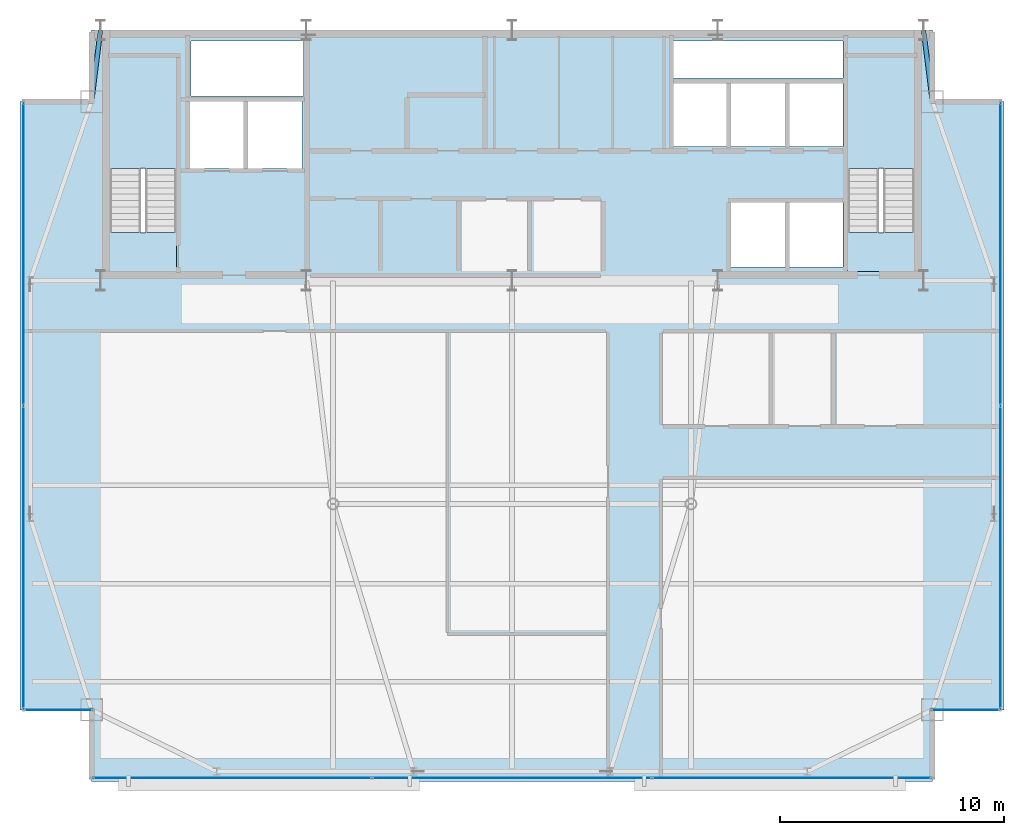
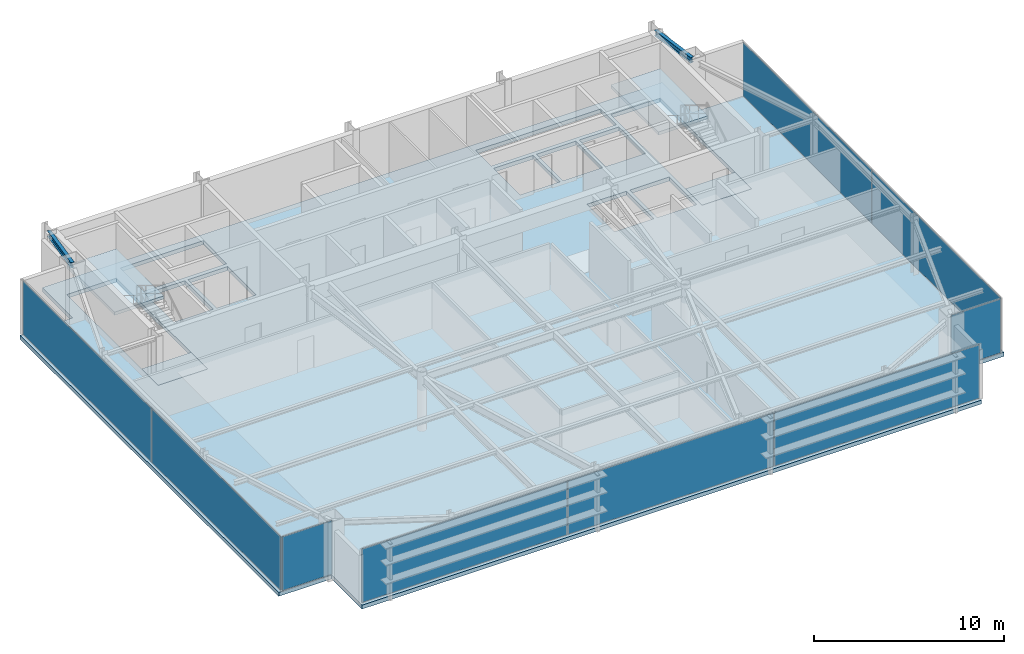
# One storey, part 18 of 24: 9 plates, 5 slabs, 2 beams, 7 elements without a shape of their own.
"""IFC4 building model written with IfcOpenShell, lengths in metres."""

from ifc_helpers import new_model, si_unit, direction, frame, origin, origin_2d, place, context, subcontext, project, spatial, polyline, rectangle, i_section, outline, extrude, source, transform, mapped, material, layer, layer_set, material_profile, profile_set, type_object, type_shapes, element, aggregate, save


model = new_model("IFC4")

# Units and contexts
model_context = context("Model", 3, precision=1e-05, world=origin(), true_north=direction((0.0, 1.0)))
body_context = subcontext(model_context, "Body", "Model", "MODEL_VIEW")
ifc_project = project(units=[si_unit("LENGTHUNIT", "METRE"), si_unit("AREAUNIT", "SQUARE_METRE"), si_unit("VOLUMEUNIT", "CUBIC_METRE"), si_unit("PLANEANGLEUNIT", "RADIAN"), si_unit("MASSUNIT", "GRAM", prefix="KILO")], contexts=[model_context])

# Site, building, storey
site_placement = place(None, origin())
site = spatial("IfcSite", under=ifc_project, at=site_placement, CompositionType="ELEMENT")
building_placement = place(site_placement, origin())
building = spatial("IfcBuilding", under=site, at=building_placement, Name="Varnel Quay Broadcast Tower", CompositionType="ELEMENT")
storey_placement = place(building_placement, frame((0.0, 0.0, 269.800048828125)))
storey = spatial("IfcBuildingStorey", under=building, at=storey_placement, Name="L67", CompositionType="ELEMENT", Elevation=269.800048828125)

# Beams
ifc_material_1 = material(Name="Structural Steel CSA G40.21 350W", Category="steel")
ifc_material_profile = material_profile(ifc_material_1, i_section(OverallWidth=0.205078125, OverallDepth=0.35400390625, WebThickness=0.009521484375, FlangeThickness=0.016845703125, FilletRadius=0.012939453125, at=origin_2d()), Name="W360X79")
ifc_profile_set = profile_set([ifc_material_profile], Name="Structural Steel CSA G40.21 350W")
beam_type = type_object("IfcBeamType", Name="Beam_W360X79", PredefinedType="SPANDREL", material=ifc_profile_set)
shared_shape_1 = source(origin(), body_context, "Body", "SweptSolid", [
    extrude(i_section(OverallWidth=0.205078125, OverallDepth=0.35400390625, WebThickness=0.009521484375, FlangeThickness=0.016845703125, FilletRadius=0.012939453125, at=origin_2d()), origin(), (0.0, 0.0, 1.0), 3.18505859375),
])
type_shapes(beam_type, [shared_shape_1])
for number, where, z_axis, x_axis, name in (
    (1, (15.202392578125, 43.619873046875, 3.373046875), (0.124025300311, 0.992279055953, 0.0), (-0.992279055953, 0.124025300311, 0.0), "L67 NW Tie Spandrel"),
    (2, (52.402587890625, 46.7802734375, 3.373046875), (0.124025300311, -0.992279055953, 0.0), (0.992279055953, 0.124025300311, 0.0), "L67 NE Tie Spandrel"),
):
    element("IfcBeam", number, at=place(storey_placement, frame(where, z_axis=z_axis, x_axis=x_axis)), inside=storey, type_object=beam_type, Name=name, PredefinedType="SPANDREL", context=body_context, shape_type="MappedRepresentation", body=[
        mapped(shared_shape_1, transform((0.0, 0.0, 0.0), x_axis=(1.0, 0.0, 0.0), y_axis=(0.0, 1.0, 0.0), z_axis=(0.0, 0.0, 1.0), scale=1.0)),
    ])

# Slabs
ifc_material_2 = material(Name="Concrete CSA A23.3 C50/60", Category="concrete")
ifc_layer_1 = layer(ifc_material_2, 0.25, Name="Concrete CSA A23.3 C50/60")
ifc_layer_set_1 = layer_set([ifc_layer_1], Name="Concrete CSA A23.3 C50/60")
slab_type_1 = type_object("IfcSlabType", Name="Slab_Floor250", PredefinedType="FLOOR", material=ifc_layer_set_1)
slab_1_placement = place(storey_placement, frame((0.0, 0.0, -0.25)))
element("IfcSlab", 3, at=slab_1_placement, inside=storey, type_object=slab_type_1, Name="L67 Structural Slab", PredefinedType="FLOOR", context=body_context, shape_type="SweptSolid", body=[
    extrude(outline(polyline([(15.199951171875, 13.199951171875), (52.800048828125, 13.199951171875), (52.800048828125, 16.39990234375), (56.0, 16.39990234375), (56.0, 43.60009765625), (52.800048828125, 43.60009765625), (52.800048828125, 46.800048828125), (15.199951171875, 46.800048828125), (15.199951171875, 43.60009765625), (12.0, 43.60009765625), (12.0, 16.39990234375), (15.199951171875, 16.39990234375), (15.199951171875, 13.199951171875)]), holes=[polyline([(19.0, 36.0), (16.0, 36.0), (16.0, 45.60009765625), (19.0, 45.60009765625), (19.0, 36.0)]), polyline([(19.60009765625, 40.60009765625), (19.60009765625, 43.60009765625), (22.0, 43.60009765625), (22.0, 40.60009765625), (19.60009765625, 40.60009765625)]), polyline([(22.199951171875, 40.60009765625), (22.199951171875, 43.60009765625), (24.60009765625, 43.60009765625), (24.60009765625, 40.60009765625), (22.199951171875, 40.60009765625)]), polyline([(41.199951171875, 44.39990234375), (43.60009765625, 44.39990234375), (43.60009765625, 41.60009765625), (41.199951171875, 41.60009765625), (41.199951171875, 44.39990234375)]), polyline([(43.800048828125, 44.39990234375), (46.199951171875, 44.39990234375), (46.199951171875, 41.60009765625), (43.800048828125, 41.60009765625), (43.800048828125, 44.39990234375)]), polyline([(19.64990234375, 43.85009765625), (19.64990234375, 46.300048828125), (24.679931640625, 46.300048828125), (24.679931640625, 43.85009765625), (19.64990234375, 43.85009765625)]), polyline([(43.800048828125, 39.10009765625), (46.199951171875, 39.10009765625), (46.199951171875, 36.199951171875), (43.800048828125, 36.199951171875), (43.800048828125, 39.10009765625)]), polyline([(46.39990234375, 39.10009765625), (48.800048828125, 39.10009765625), (48.800048828125, 36.199951171875), (46.39990234375, 36.199951171875), (46.39990234375, 39.10009765625)]), polyline([(52.0, 36.0), (49.0, 36.0), (49.0, 45.60009765625), (52.0, 45.60009765625), (52.0, 36.0)]), polyline([(46.39990234375, 44.39990234375), (48.800048828125, 44.39990234375), (48.800048828125, 41.60009765625), (46.39990234375, 41.60009765625), (46.39990234375, 44.39990234375)]), polyline([(41.199951171875, 46.300048828125), (48.800048828125, 46.300048828125), (48.800048828125, 44.64990234375), (41.199951171875, 44.64990234375), (41.199951171875, 46.300048828125)])]), origin(), (0.0, 0.0, 1.0), 0.25),
])
ifc_layer_2 = layer(ifc_material_2, 0.25, Name="Concrete CSA A23.3 C50/60")
ifc_layer_set_2 = layer_set([ifc_layer_2], Name="Concrete CSA A23.3 C50/60")
slab_type_2 = type_object("IfcSlabType", Name="Slab_StairFloorLanding250", PredefinedType="FLOOR", material=ifc_layer_set_2)
slab_2_placement = place(storey_placement, frame((0.0, 0.0, -0.25)))
element("IfcSlab", 4, at=slab_2_placement, inside=storey, type_object=slab_type_2, Name="L67 ST-01 Structural Floor Landing Slab", PredefinedType="FLOOR", context=body_context, shape_type="SweptSolid", body=[
    extrude(outline(polyline([(19.0, 36.0), (19.0, 37.75), (16.0, 37.75), (16.0, 36.0), (19.0, 36.0)])), origin(), (0.0, 0.0, 1.0), 0.25),
])
slab_3_placement = place(storey_placement, frame((0.0, 0.0, -0.25)))
element("IfcSlab", 5, at=slab_3_placement, inside=storey, type_object=slab_type_2, Name="L67 ST-02 Structural Floor Landing Slab", PredefinedType="FLOOR", context=body_context, shape_type="SweptSolid", body=[
    extrude(outline(polyline([(52.0, 36.0), (52.0, 37.75), (49.0, 37.75), (49.0, 36.0), (52.0, 36.0)])), origin(), (0.0, 0.0, 1.0), 0.25),
])

# Stair, slab
ifc_material_3 = material(Name="Precast Structural Concrete C40/50", Category="concrete")
stair_type_1 = type_object("IfcStairType", Name="Stair_ST-01", PredefinedType="HALF_TURN_STAIR", material=ifc_material_3)
stair_1_placement = place(storey_placement, origin())
stair_1 = element("IfcStair", 6, at=stair_1_placement, inside=storey, type_object=stair_type_1, Name="L67 West Core Exit Stair 1", PredefinedType="HALF_TURN_STAIR")
ifc_layer_3 = layer(ifc_material_3, 0.199951171875, Name="Precast Structural Concrete C40/50")
ifc_layer_set_3 = layer_set([ifc_layer_3], Name="Precast Structural Concrete C40/50")
slab_type_3 = type_object("IfcSlabType", Name="Slab_StairLanding200", PredefinedType="LANDING", material=ifc_layer_set_3)
slab_4_placement = place(storey_placement, frame((0.0, 0.0, 1.699951171875)))
slab_4 = element("IfcSlab", 7, at=slab_4_placement, type_object=slab_type_3, Name="ST-01 landing 1", PredefinedType="LANDING", context=body_context, shape_type="SweptSolid", body=[
    extrude(outline(polyline([(19.0, 40.60009765625), (19.0, 45.60009765625), (16.0, 45.60009765625), (16.0, 40.60009765625), (19.0, 40.60009765625)])), origin(), (0.0, 0.0, 1.0), 0.199951171875),
])
aggregate(stair_1, [slab_4])

stair_type_2 = type_object("IfcStairType", Name="Stair_ST-02", PredefinedType="HALF_TURN_STAIR", material=ifc_material_3)
stair_2_placement = place(storey_placement, origin())
stair_2 = element("IfcStair", 8, at=stair_2_placement, inside=storey, type_object=stair_type_2, Name="L67 East Core Exit Stair 2", PredefinedType="HALF_TURN_STAIR")
slab_5_placement = place(storey_placement, frame((0.0, 0.0, 1.699951171875)))
slab_5 = element("IfcSlab", 9, at=slab_5_placement, type_object=slab_type_3, Name="ST-02 landing 1", PredefinedType="LANDING", context=body_context, shape_type="SweptSolid", body=[
    extrude(outline(polyline([(52.0, 40.60009765625), (52.0, 45.60009765625), (49.0, 45.60009765625), (49.0, 40.60009765625), (52.0, 40.60009765625)])), origin(), (0.0, 0.0, 1.0), 0.199951171875),
])
aggregate(stair_2, [slab_5])

# Curtain wall, plates
ifc_material_4 = material(Name="Anodised Bronze Aluminium 6063-T6", Category="aluminium")
ifc_layer_4 = layer(ifc_material_4, 0.18994140625, Name="Anodised Bronze Aluminium 6063-T6")
ifc_layer_set_4 = layer_set([ifc_layer_4], Name="Anodised Bronze Aluminium 6063-T6")
curtain_wall_type_1 = type_object("IfcCurtainWallType", Name="CW_UpperTower", PredefinedType="NOTDEFINED", material=ifc_layer_set_4)
curtain_wall_1_placement = place(storey_placement, origin())
curtain_wall_1 = element("IfcCurtainWall", 10, at=curtain_wall_1_placement, inside=storey, type_object=curtain_wall_type_1, Name="L67 West Unitised Curtain Wall", PredefinedType="NOTDEFINED")
ifc_material_5 = material(Name="Insulated Bronze Spandrel Glass", Category="glass")
ifc_layer_5 = layer(ifc_material_5, 0.030029296875, Name="Insulated Bronze Spandrel Glass")
ifc_layer_set_5 = layer_set([ifc_layer_5], Name="Insulated Bronze Spandrel Glass")
plate_type_1 = type_object("IfcPlateType", Name="PanelSp_CWS-03", PredefinedType="CURTAIN_PANEL", material=ifc_layer_set_5)
shared_shape_2 = source(origin(), body_context, "Body", "SweptSolid", [
    extrude(rectangle(XDim=13.50244140625, YDim=0.030029296875, at=origin_2d()), origin(), (0.0, 0.0, 1.0), 3.429931640625),
])
plate_1_placement = place(storey_placement, frame((12.14990234375, 23.21630859375, 0.06005859375), z_axis=(0.0, 0.0, 1.0), x_axis=(0.0, 1.0, 0.0)))
plate_1 = element("IfcPlate", 11, at=plate_1_placement, type_object=plate_type_1, Name="CWS-03 panel 1.1", PredefinedType="CURTAIN_PANEL", context=body_context, shape_type="MappedRepresentation", body=[
    mapped(shared_shape_2, transform((0.0, 0.0, 0.0), x_axis=(1.0, 0.0, 0.0), y_axis=(0.0, 1.0, 0.0), z_axis=(0.0, 0.0, 1.0), scale=1.0)),
])
plate_2_placement = place(storey_placement, frame((12.14990234375, 36.78369140625, 0.06005859375), z_axis=(0.0, 0.0, 1.0), x_axis=(0.0, 1.0, 0.0)))
plate_2 = element("IfcPlate", 12, at=plate_2_placement, type_object=plate_type_1, Name="CWS-03 panel 2.1", PredefinedType="CURTAIN_PANEL", context=body_context, shape_type="MappedRepresentation", body=[
    mapped(shared_shape_2, transform((0.0, 0.0, 0.0), x_axis=(1.0, 0.0, 0.0), y_axis=(0.0, 1.0, 0.0), z_axis=(0.0, 0.0, 1.0), scale=1.0)),
])
aggregate(curtain_wall_1, [plate_1, plate_2])

curtain_wall_2_placement = place(storey_placement, origin())
curtain_wall_2 = element("IfcCurtainWall", 13, at=curtain_wall_2_placement, inside=storey, type_object=curtain_wall_type_1, Name="L67 East Unitised Curtain Wall", PredefinedType="NOTDEFINED")
plate_3_placement = place(storey_placement, frame((55.85009765625, 23.21630859375, 0.06005859375), z_axis=(0.0, 0.0, 1.0), x_axis=(0.0, 1.0, 0.0)))
plate_3 = element("IfcPlate", 14, at=plate_3_placement, type_object=plate_type_1, Name="CWS-03 panel 1.1", PredefinedType="CURTAIN_PANEL", context=body_context, shape_type="MappedRepresentation", body=[
    mapped(shared_shape_2, transform((0.0, 0.0, 0.0), x_axis=(1.0, 0.0, 0.0), y_axis=(0.0, 1.0, 0.0), z_axis=(0.0, 0.0, 1.0), scale=1.0)),
])
plate_4_placement = place(storey_placement, frame((55.85009765625, 36.78369140625, 0.06005859375), z_axis=(0.0, 0.0, 1.0), x_axis=(0.0, 1.0, 0.0)))
plate_4 = element("IfcPlate", 15, at=plate_4_placement, type_object=plate_type_1, Name="CWS-03 panel 2.1", PredefinedType="CURTAIN_PANEL", context=body_context, shape_type="MappedRepresentation", body=[
    mapped(shared_shape_2, transform((0.0, 0.0, 0.0), x_axis=(1.0, 0.0, 0.0), y_axis=(0.0, 1.0, 0.0), z_axis=(0.0, 0.0, 1.0), scale=1.0)),
])
aggregate(curtain_wall_2, [plate_3, plate_4])

# Curtain wall, plate
ifc_layer_6 = layer(ifc_material_4, 0.18994140625, Name="Anodised Bronze Aluminium 6063-T6")
ifc_layer_set_6 = layer_set([ifc_layer_6], Name="Anodised Bronze Aluminium 6063-T6")
curtain_wall_type_2 = type_object("IfcCurtainWallType", Name="CW_NotchCorner", PredefinedType="NOTDEFINED", material=ifc_layer_set_6)
curtain_wall_3_placement = place(storey_placement, origin())
curtain_wall_3 = element("IfcCurtainWall", 16, at=curtain_wall_3_placement, inside=storey, type_object=curtain_wall_type_2, Name="L67 SW Notch Curtain Wall", PredefinedType="NOTDEFINED")
ifc_material_6 = material(Name="Triple-Glazed Bronze Low-E Architectural Glass", Category="glass")
ifc_layer_7 = layer(ifc_material_6, 0.028076171875, Name="Triple-Glazed Bronze Low-E Architectural Glass")
ifc_layer_set_7 = layer_set([ifc_layer_7], Name="Triple-Glazed Bronze Low-E Architectural Glass")
plate_type_2 = type_object("IfcPlateType", Name="Panel_CWS-04", PredefinedType="CURTAIN_PANEL", material=ifc_layer_set_7)
shared_shape_3 = source(origin(), body_context, "Body", "SweptSolid", [
    extrude(rectangle(XDim=3.010009765625, YDim=0.028076171875, at=origin_2d()), origin(), (0.0, 0.0, 1.0), 3.43994140625),
])
type_shapes(plate_type_2, [shared_shape_3])
plate_5_placement = place(storey_placement, frame((13.715087890625, 16.39990234375, 0.054931640625), z_axis=(0.0, 0.0, 1.0), x_axis=(1.0, 0.0, 0.0)))
plate_5 = element("IfcPlate", 17, at=plate_5_placement, type_object=plate_type_2, Name="CWS-04 panel 1.1", PredefinedType="CURTAIN_PANEL", context=body_context, shape_type="MappedRepresentation", body=[
    mapped(shared_shape_3, transform((0.0, 0.0, 0.0), x_axis=(1.0, 0.0, 0.0), y_axis=(0.0, 1.0, 0.0), z_axis=(0.0, 0.0, 1.0), scale=1.0)),
])
aggregate(curtain_wall_3, [plate_5])

curtain_wall_4_placement = place(storey_placement, origin())
curtain_wall_4 = element("IfcCurtainWall", 18, at=curtain_wall_4_placement, inside=storey, type_object=curtain_wall_type_2, Name="L67 SE Notch Curtain Wall", PredefinedType="NOTDEFINED")
plate_6_placement = place(storey_placement, frame((54.284912109375, 16.39990234375, 0.054931640625), z_axis=(0.0, 0.0, 1.0), x_axis=(1.0, 0.0, 0.0)))
plate_6 = element("IfcPlate", 19, at=plate_6_placement, type_object=plate_type_2, Name="CWS-04 panel 1.1", PredefinedType="CURTAIN_PANEL", context=body_context, shape_type="MappedRepresentation", body=[
    mapped(shared_shape_3, transform((0.0, 0.0, 0.0), x_axis=(1.0, 0.0, 0.0), y_axis=(0.0, 1.0, 0.0), z_axis=(0.0, 0.0, 1.0), scale=1.0)),
])
aggregate(curtain_wall_4, [plate_6])

# Curtain wall, plates
curtain_wall_5_placement = place(storey_placement, origin())
curtain_wall_5 = element("IfcCurtainWall", 20, at=curtain_wall_5_placement, inside=storey, type_object=curtain_wall_type_1, Name="L67 South Unitised Curtain Wall 1", PredefinedType="NOTDEFINED")
ifc_layer_8 = layer(ifc_material_6, 0.030029296875, Name="Triple-Glazed Bronze Low-E Architectural Glass")
ifc_layer_set_8 = layer_set([ifc_layer_8], Name="Triple-Glazed Bronze Low-E Architectural Glass")
plate_type_3 = type_object("IfcPlateType", Name="Panel_CWS-03", PredefinedType="CURTAIN_PANEL", material=ifc_layer_set_8)
shared_shape_4 = source(origin(), body_context, "Body", "SweptSolid", [
    extrude(rectangle(XDim=12.435791015625, YDim=0.030029296875, at=origin_2d()), origin(), (0.0, 0.0, 1.0), 3.429931640625),
])
type_shapes(plate_type_3, [shared_shape_4])
plate_7_placement = place(storey_placement, frame((21.48291015625, 13.35009765625, 0.06005859375), z_axis=(0.0, 0.0, 1.0), x_axis=(1.0, 0.0, 0.0)))
plate_7 = element("IfcPlate", 21, at=plate_7_placement, type_object=plate_type_3, Name="CWS-03 panel 1.1", PredefinedType="CURTAIN_PANEL", context=body_context, shape_type="MappedRepresentation", body=[
    mapped(shared_shape_4, transform((0.0, 0.0, 0.0), x_axis=(1.0, 0.0, 0.0), y_axis=(0.0, 1.0, 0.0), z_axis=(0.0, 0.0, 1.0), scale=1.0)),
])
plate_8_placement = place(storey_placement, frame((46.51708984375, 13.35009765625, 0.06005859375), z_axis=(0.0, 0.0, 1.0), x_axis=(1.0, 0.0, 0.0)))
plate_8 = element("IfcPlate", 22, at=plate_8_placement, type_object=plate_type_3, Name="CWS-03 panel 3.1", PredefinedType="CURTAIN_PANEL", context=body_context, shape_type="MappedRepresentation", body=[
    mapped(shared_shape_4, transform((0.0, 0.0, 0.0), x_axis=(1.0, 0.0, 0.0), y_axis=(0.0, 1.0, 0.0), z_axis=(0.0, 0.0, 1.0), scale=1.0)),
])
shared_shape_5 = source(origin(), body_context, "Body", "SweptSolid", [
    extrude(rectangle(XDim=12.46826171875, YDim=0.030029296875, at=origin_2d()), origin(), (0.0, 0.0, 1.0), 3.429931640625),
])
type_shapes(plate_type_1, [shared_shape_2, shared_shape_5])
plate_9_placement = place(storey_placement, frame((34.0, 13.35009765625, 0.06005859375), z_axis=(0.0, 0.0, 1.0), x_axis=(1.0, 0.0, 0.0)))
plate_9 = element("IfcPlate", 23, at=plate_9_placement, type_object=plate_type_1, Name="CWS-03 panel 2.1", PredefinedType="CURTAIN_PANEL", context=body_context, shape_type="MappedRepresentation", body=[
    mapped(shared_shape_5, transform((0.0, 0.0, 0.0), x_axis=(1.0, 0.0, 0.0), y_axis=(0.0, 1.0, 0.0), z_axis=(0.0, 0.0, 1.0), scale=1.0)),
])
aggregate(curtain_wall_5, [plate_7, plate_9, plate_8])

save(model, "model.ifc")
